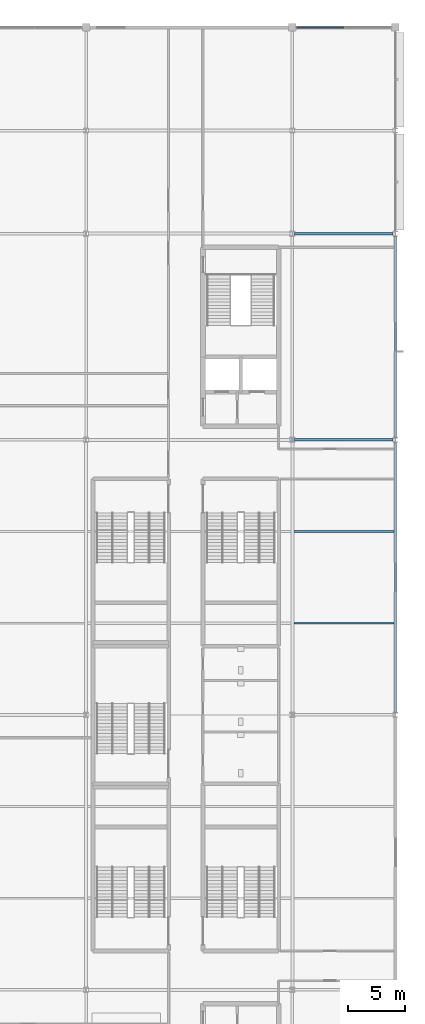
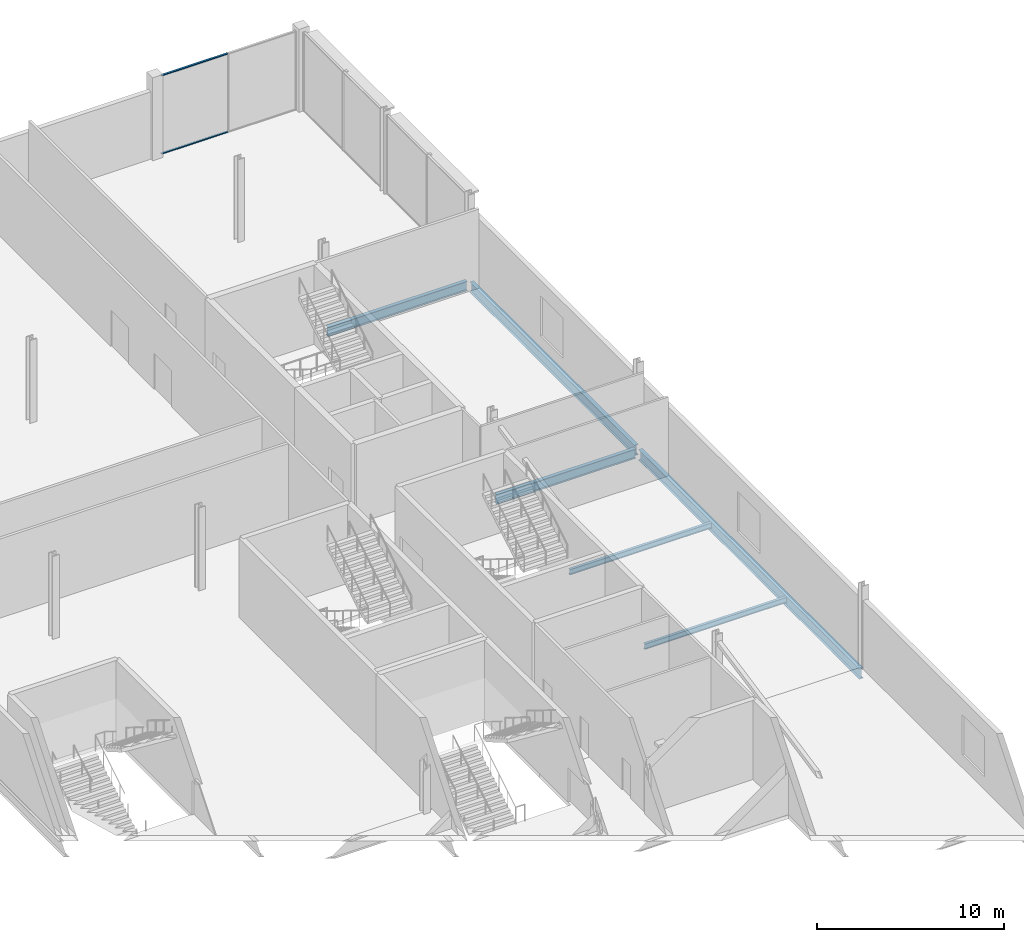
# One storey, part 58 of 113: 6 beams, 2 members, 1 element without a shape of its own.
"""IFC4 building model written with IfcOpenShell, lengths in metres."""

from ifc_helpers import new_model, si_unit, direction, frame, origin, origin_2d, place, context, subcontext, project, spatial, rectangle, i_section, extrude, material, layer, layer_set, material_profile, profile_set, type_object, element, aggregate, save


model = new_model("IFC4")

# Units and contexts
model_context = context("Model", 3, precision=1e-05, world=origin(), true_north=direction((0.0, 1.0)))
body_context = subcontext(model_context, "Body", "Model", "MODEL_VIEW")
ifc_project = project(units=[si_unit("LENGTHUNIT", "METRE"), si_unit("AREAUNIT", "SQUARE_METRE"), si_unit("VOLUMEUNIT", "CUBIC_METRE"), si_unit("PLANEANGLEUNIT", "RADIAN"), si_unit("MASSUNIT", "GRAM", prefix="KILO")], contexts=[model_context])

# Site, building, storey
site_placement = place(None, origin())
site = spatial("IfcSite", under=ifc_project, at=site_placement, CompositionType="ELEMENT")
building_placement = place(site_placement, origin())
building = spatial("IfcBuilding", under=site, at=building_placement, Name="Kisiwana Market Hall", CompositionType="ELEMENT")
storey_placement = place(building_placement, frame((0.0, 0.0, 6.0)))
storey = spatial("IfcBuildingStorey", under=building, at=storey_placement, Name="L01", CompositionType="ELEMENT", Elevation=6.0)

# Beams
ifc_material_1 = material(Name="Steel S355", Category="steel")
ifc_material_profile_1 = material_profile(ifc_material_1, i_section(OverallWidth=0.22900390625, OverallDepth=0.6123046875, WebThickness=0.011962890625, FlangeThickness=0.01953125, at=origin_2d()), Name="UB 610x229x125")
ifc_profile_set_1 = profile_set([ifc_material_profile_1], Name="Steel S355")
beam_type_1 = type_object("IfcBeamType", Name="BM-GIRD-UB610H", PredefinedType="BEAM", material=ifc_profile_set_1)
for number, where, z_axis, x_axis, name in (
    (1, (189.201904296875, 84.0, -0.55615234375), (1.0, 0.0, 0.0), (0.0, 1.0, 0.0), "Floor beam B-0518"),
    (2, (189.201904296875, 102.0, -0.55615234375), (1.0, 0.0, 0.0), (0.0, 1.0, 0.0), "Floor beam B-0532"),
):
    element("IfcBeam", number, at=place(storey_placement, frame(where, z_axis=z_axis, x_axis=x_axis)), inside=storey, type_object=beam_type_1, Name=name, PredefinedType="BEAM", context=body_context, shape_type="SweptSolid", body=[
        extrude(i_section(OverallWidth=0.22900390625, OverallDepth=0.6123046875, WebThickness=0.011962890625, FlangeThickness=0.01953125, at=origin_2d()), origin(), (0.0, 0.0, 1.0), 8.59619140625),
    ])
ifc_material_2 = material(Name="Steel S355", Category="steel")
ifc_material_profile_2 = material_profile(ifc_material_2, i_section(OverallWidth=0.253662109375, OverallDepth=0.68359375, WebThickness=0.012451171875, FlangeThickness=0.01904296875, at=origin_2d()), Name="UB 686x254x140")
ifc_profile_set_2 = profile_set([ifc_material_profile_2], Name="Steel S355")
beam_type_2 = type_object("IfcBeamType", Name="BM-GIRD-UB686", PredefinedType="BEAM", material=ifc_profile_set_2)
beam_1_placement = place(storey_placement, frame((198.0, 60.21337890625, -0.591796875), z_axis=(0.0, 1.0, 0.0), x_axis=(-1.0, 0.0, 0.0)))
element("IfcBeam", 3, at=beam_1_placement, inside=storey, type_object=beam_type_2, Name="Floor beam B-0575", PredefinedType="BEAM", context=body_context, shape_type="SweptSolid", body=[
    extrude(i_section(OverallWidth=0.253662109375, OverallDepth=0.68359375, WebThickness=0.012451171875, FlangeThickness=0.01904296875, at=origin_2d()), origin(), (0.0, 0.0, 1.0), 23.5732421875),
])
beam_2_placement = place(storey_placement, frame((198.0, 84.21337890625, -0.591796875), z_axis=(0.0, 1.0, 0.0), x_axis=(-1.0, 0.0, 0.0)))
element("IfcBeam", 4, at=beam_2_placement, inside=storey, type_object=beam_type_2, Name="Floor beam B-0576", PredefinedType="BEAM", context=body_context, shape_type="SweptSolid", body=[
    extrude(i_section(OverallWidth=0.253662109375, OverallDepth=0.68359375, WebThickness=0.012451171875, FlangeThickness=0.01904296875, at=origin_2d()), origin(), (0.0, 0.0, 1.0), 17.5732421875),
])
ifc_material_3 = material(Name="Steel S355", Category="steel")
ifc_material_profile_3 = material_profile(ifc_material_3, i_section(OverallWidth=0.17138671875, OverallDepth=0.35498046875, WebThickness=0.00732421875, FlangeThickness=0.011474609375, at=origin_2d()), Name="UB 356x171x51")
ifc_profile_set_3 = profile_set([ifc_material_profile_3], Name="Steel S355")
beam_type_3 = type_object("IfcBeamType", Name="BM-JOIST-UB356", PredefinedType="JOIST", material=ifc_profile_set_3)
for number, where, z_axis, x_axis, name in (
    (5, (189.125732421875, 68.0, -0.427490234375), (1.0, 0.0, 0.0), (0.0, 1.0, 0.0), "Secondary floor joist B-0440"),
    (6, (189.125732421875, 76.0, -0.427490234375), (1.0, 0.0, 0.0), (0.0, 1.0, 0.0), "Secondary floor joist B-0448"),
):
    element("IfcBeam", number, at=place(storey_placement, frame(where, z_axis=z_axis, x_axis=x_axis)), inside=storey, type_object=beam_type_3, Name=name, PredefinedType="JOIST", context=body_context, shape_type="SweptSolid", body=[
        extrude(i_section(OverallWidth=0.17138671875, OverallDepth=0.35498046875, WebThickness=0.00732421875, FlangeThickness=0.011474609375, at=origin_2d()), origin(), (0.0, 0.0, 1.0), 8.74853515625),
    ])

# Curtain wall, members
ifc_material_4 = material(Name="Double-glazed solar-control low-E IGU", Category="glass")
ifc_layer = layer(ifc_material_4, 0.159912109375)
ifc_layer_set = layer_set([ifc_layer], Name="CW-FC-N-8100")
curtain_wall_type = type_object("IfcCurtainWallType", Name="CW-FC-N-8100", PredefinedType="USERDEFINED", material=ifc_layer_set)
curtain_wall_placement = place(storey_placement, origin())
curtain_wall = element("IfcCurtainWall", 7, at=curtain_wall_placement, inside=storey, type_object=curtain_wall_type, Name="Unitised curtain wall CW-044 (L01)", ObjectType="UNITISED CURTAIN WALL", PredefinedType="USERDEFINED")
ifc_material_5 = material(Name="Aluminium alloy 6063-T6", Category="aluminium")
ifc_material_profile_4 = material_profile(ifc_material_5, rectangle(XDim=0.1201171875, YDim=0.06005859375, at=origin_2d()), Name="ALU TRANSOM 60x120")
ifc_profile_set_4 = profile_set([ifc_material_profile_4], Name="Aluminium alloy 6063-T6")
member_type = type_object("IfcMemberType", Name="CW-TRAN-60x120", PredefinedType="USERDEFINED", material=ifc_profile_set_4)
member_1_placement = place(storey_placement, frame((189.385009765625, 120.0, 0.030029296875), z_axis=(1.0, 0.0, 0.0), x_axis=(0.0, 1.0, 0.0)))
member_1 = element("IfcMember", 8, at=member_1_placement, type_object=member_type, Name="CW-044 transom 1.1", ObjectType="TRANSOM", PredefinedType="USERDEFINED", context=body_context, shape_type="SweptSolid", body=[
    extrude(rectangle(XDim=0.1201171875, YDim=0.06005859375, at=origin_2d()), origin(), (0.0, 0.0, 1.0), 4.0849609375),
])
member_2_placement = place(storey_placement, frame((189.385009765625, 120.0, 5.1201171875), z_axis=(1.0, 0.0, 0.0), x_axis=(0.0, 1.0, 0.0)))
member_2 = element("IfcMember", 9, at=member_2_placement, type_object=member_type, Name="CW-044 transom 1.2", ObjectType="TRANSOM", PredefinedType="USERDEFINED", context=body_context, shape_type="SweptSolid", body=[
    extrude(rectangle(XDim=0.1201171875, YDim=0.06005859375, at=origin_2d()), origin(), (0.0, 0.0, 1.0), 4.0849609375),
])
aggregate(curtain_wall, [member_1, member_2])

save(model, "model.ifc")
